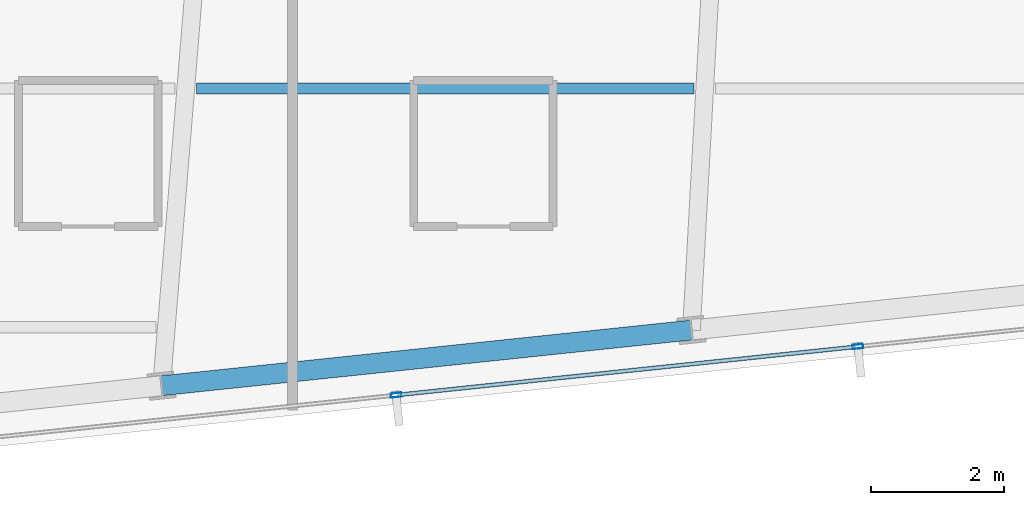
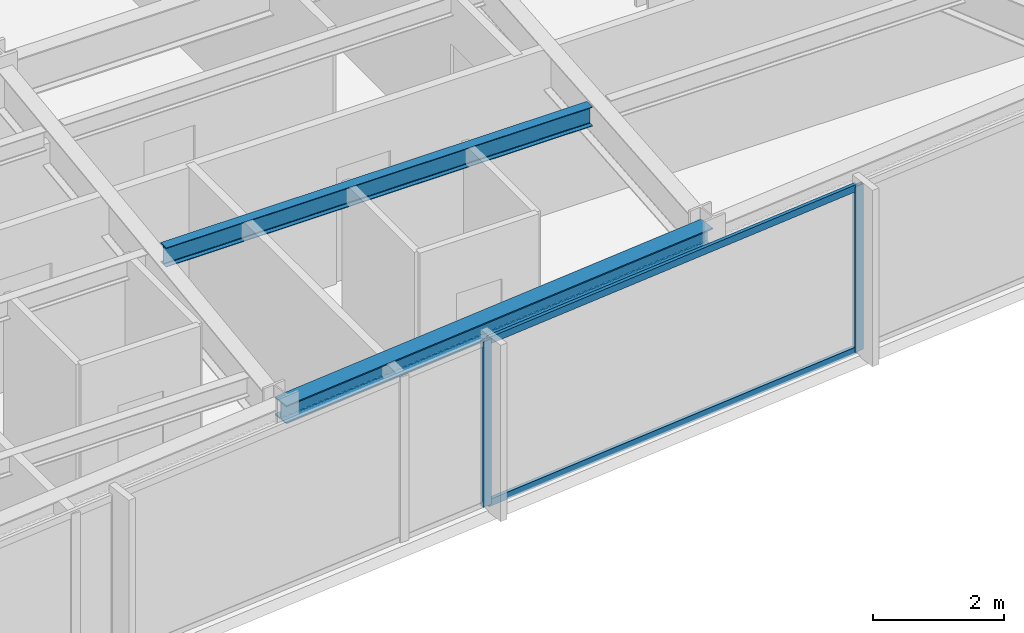
# One storey, part 14 of 33: 4 members, 2 beams, 1 element without a shape of its own.
"""IFC4 building model written with IfcOpenShell, lengths in metres."""

from ifc_helpers import new_model, si_unit, direction, frame, origin, origin_2d, place, context, subcontext, project, spatial, hollow_rectangle, i_section, extrude, material, material_profile, profile_set, type_object, element, aggregate, save


model = new_model("IFC4")

# Units and contexts
model_context = context("Model", 3, precision=1e-05, world=origin(), true_north=direction((0.0, 1.0)))
body_context = subcontext(model_context, "Body", "Model", "MODEL_VIEW")
ifc_project = project(units=[si_unit("LENGTHUNIT", "METRE"), si_unit("AREAUNIT", "SQUARE_METRE"), si_unit("VOLUMEUNIT", "CUBIC_METRE"), si_unit("PLANEANGLEUNIT", "RADIAN"), si_unit("MASSUNIT", "GRAM", prefix="KILO")], contexts=[model_context])

# Site, building, storey
site_placement = place(None, origin())
site = spatial("IfcSite", under=ifc_project, at=site_placement, CompositionType="ELEMENT")
building_placement = place(site_placement, origin())
building = spatial("IfcBuilding", under=site, at=building_placement, Name="Yelkora Congress Tower", CompositionType="ELEMENT")
storey_placement = place(building_placement, frame((0.0, 0.0, 227.60009765625)))
storey = spatial("IfcBuildingStorey", under=building, at=storey_placement, Name="L63", CompositionType="ELEMENT", Elevation=227.60009765625)

# Beams
ifc_material_1 = material(Name="Steel S355J2", Category="steel")
ifc_material_profile_1 = material_profile(ifc_material_1, i_section(OverallWidth=0.169921875, OverallDepth=0.360107421875, WebThickness=0.008056640625, FlangeThickness=0.0126953125, FilletRadius=0.01806640625, at=origin_2d()), Name="IPE 360")
ifc_profile_set_1 = profile_set([ifc_material_profile_1], Name="Steel S355J2")
beam_type_1 = type_object("IfcBeamType", Name="BM-JOIST-IPE360", PredefinedType="JOIST", material=ifc_profile_set_1)
beam_1_placement = place(storey_placement, frame((45.791259765625, 19.678466796875, 2.89990234375), z_axis=(1.0, 0.0, 0.0), x_axis=(0.0, 1.0, 0.0)))
element("IfcBeam", 1, at=beam_1_placement, inside=storey, type_object=beam_type_1, Name="L63 Composite Floor Joist 6", PredefinedType="JOIST", context=body_context, shape_type="SweptSolid", body=[
    extrude(i_section(OverallWidth=0.169921875, OverallDepth=0.360107421875, WebThickness=0.008056640625, FlangeThickness=0.0126953125, FilletRadius=0.01806640625, at=origin_2d()), origin(), (0.0, 0.0, 1.0), 7.505126953125),
])
ifc_material_profile_2 = material_profile(ifc_material_1, i_section(OverallWidth=0.300048828125, OverallDepth=0.340087890625, WebThickness=0.011962890625, FlangeThickness=0.021484375, FilletRadius=0.027099609375, at=origin_2d()), Name="HEB 340")
ifc_profile_set_2 = profile_set([ifc_material_profile_2], Name="Steel S355J2")
beam_type_2 = type_object("IfcBeamType", Name="BM-SPAN-HEB340", PredefinedType="SPANDREL", material=ifc_profile_set_2)
beam_2_placement = place(storey_placement, frame((45.26708984375, 15.197509765625, 2.909912109375), z_axis=(0.994520097542, 0.104545567032, 0.0), x_axis=(-0.104545567032, 0.994520097542, 0.0)))
element("IfcBeam", 2, at=beam_2_placement, inside=storey, type_object=beam_type_2, Name="L63 Perimeter Beam 6", PredefinedType="SPANDREL", context=body_context, shape_type="SweptSolid", body=[
    extrude(i_section(OverallWidth=0.300048828125, OverallDepth=0.340087890625, WebThickness=0.011962890625, FlangeThickness=0.021484375, FilletRadius=0.027099609375, at=origin_2d()), origin(), (0.0, 0.0, 1.0), 8.033203125),
])

# Curtain wall, members
ifc_material_2 = material(Name="Anodised aluminium and insulated glass", Category="aluminium")
curtain_wall_type = type_object("IfcCurtainWallType", Name="CW-SYS-B4", PredefinedType="NOTDEFINED", material=ifc_material_2)
curtain_wall_placement = place(storey_placement, origin())
curtain_wall = element("IfcCurtainWall", 3, at=curtain_wall_placement, inside=storey, type_object=curtain_wall_type, Name="L63 Unitised Curtain Wall 20", PredefinedType="NOTDEFINED")
ifc_material_3 = material(Name="Anodised aluminium 6063-T6", Category="aluminium")
ifc_material_profile_3 = material_profile(ifc_material_3, hollow_rectangle(XDim=0.06494140625, YDim=0.159912109375, WallThickness=0.00390625, at=origin_2d()), Name="ALU 65x160x4")
ifc_profile_set_3 = profile_set([ifc_material_profile_3], Name="Anodised aluminium 6063-T6")
member_type_1 = type_object("IfcMemberType", Name="MEM-ML-B4", PredefinedType="MULLION", material=ifc_profile_set_3)
member_1_placement = place(storey_placement, frame((55.76708984375, 15.788330078125, 0.0), z_axis=(0.0, 0.0, 1.0), x_axis=(0.104526664994, -0.994522084373, 0.0)))
member_1 = element("IfcMember", 4, at=member_1_placement, type_object=member_type_1, Name="CW-B4 mullion 3", PredefinedType="MULLION", context=body_context, shape_type="SweptSolid", body=[
    extrude(hollow_rectangle(XDim=0.06494140625, YDim=0.159912109375, WallThickness=0.00390625, at=origin_2d()), origin(), (0.0, 0.0, 1.0), 3.079833984375),
])
member_2_placement = place(storey_placement, frame((48.802490234375, 15.056396484375, 0.0), z_axis=(0.0, 0.0, 1.0), x_axis=(0.104526664994, -0.994522084373, 0.0)))
member_2 = element("IfcMember", 5, at=member_2_placement, type_object=member_type_1, Name="CW-B4 mullion 4", PredefinedType="MULLION", context=body_context, shape_type="SweptSolid", body=[
    extrude(hollow_rectangle(XDim=0.06494140625, YDim=0.159912109375, WallThickness=0.00390625, at=origin_2d()), origin(), (0.0, 0.0, 1.0), 3.079833984375),
])
ifc_material_profile_4 = material_profile(ifc_material_3, hollow_rectangle(XDim=0.06005859375, YDim=0.1298828125, WallThickness=0.00390625, at=origin_2d()), Name="ALU 60x130x4")
ifc_profile_set_4 = profile_set([ifc_material_profile_4], Name="Anodised aluminium 6063-T6")
member_type_2 = type_object("IfcMemberType", Name="MEM-TR-B4", PredefinedType="USERDEFINED", material=ifc_profile_set_4)
member_3_placement = place(storey_placement, frame((55.73486328125, 15.784912109375, 0.02978515625), z_axis=(-0.99452356298, -0.104512595784, 0.0), x_axis=(0.104512595784, -0.99452356298, 0.0)))
member_3 = element("IfcMember", 6, at=member_3_placement, type_object=member_type_2, Name="CW-B4 transom 3.1", ObjectType="TRANSOM", PredefinedType="USERDEFINED", context=body_context, shape_type="SweptSolid", body=[
    extrude(hollow_rectangle(XDim=0.06005859375, YDim=0.1298828125, WallThickness=0.00390625, at=origin_2d()), origin(), (0.0, 0.0, 1.0), 6.93798828125),
])
member_4_placement = place(storey_placement, frame((55.73486328125, 15.784912109375, 3.0498046875), z_axis=(-0.99452356298, -0.104512595784, 0.0), x_axis=(0.104512595784, -0.99452356298, 0.0)))
member_4 = element("IfcMember", 7, at=member_4_placement, type_object=member_type_2, Name="CW-B4 transom 3.2", ObjectType="TRANSOM", PredefinedType="USERDEFINED", context=body_context, shape_type="SweptSolid", body=[
    extrude(hollow_rectangle(XDim=0.06005859375, YDim=0.1298828125, WallThickness=0.00390625, at=origin_2d()), origin(), (0.0, 0.0, 1.0), 6.93798828125),
])
aggregate(curtain_wall, [member_1, member_2, member_3, member_4])

save(model, "model.ifc")
